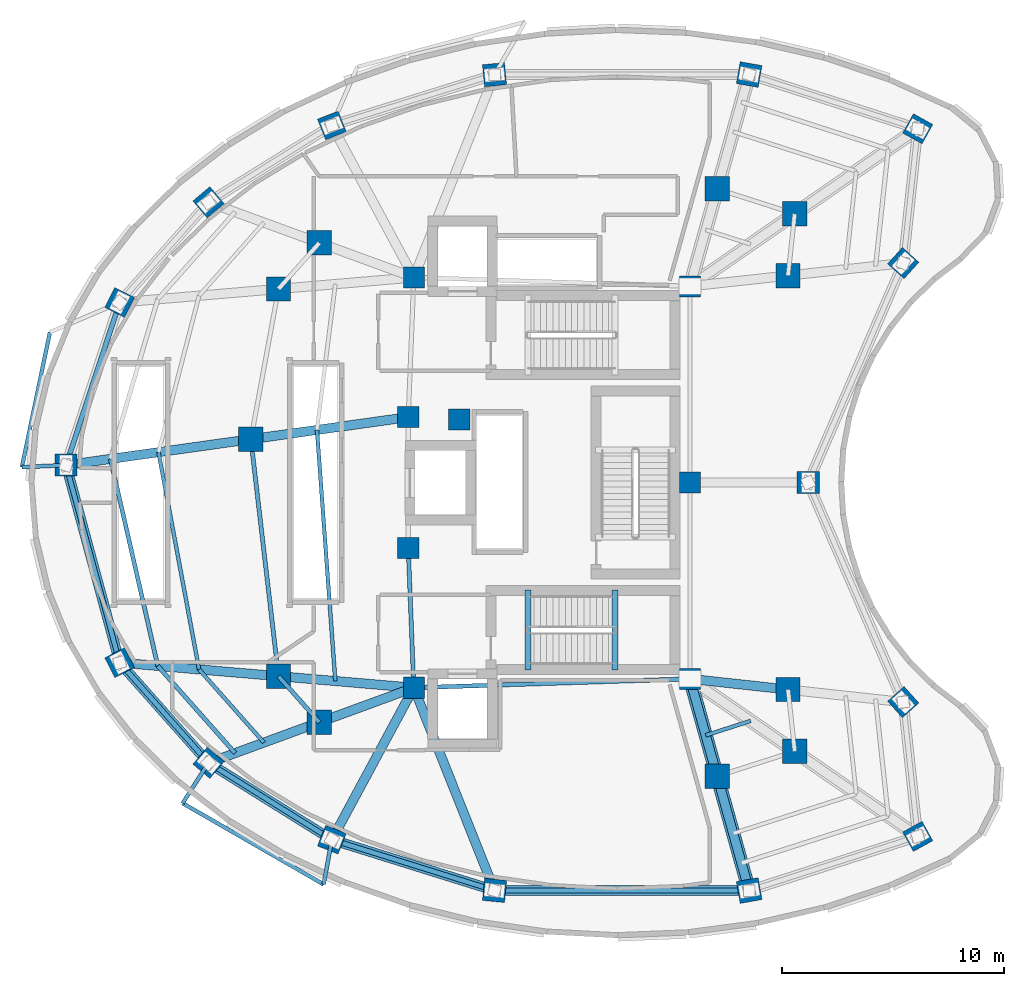
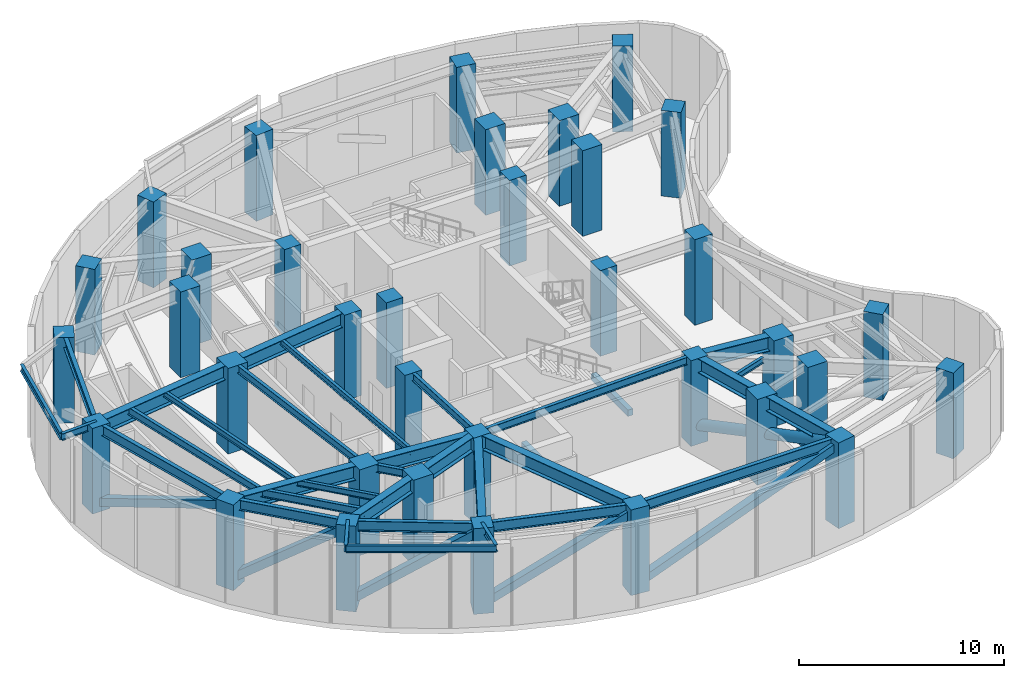
# One storey, part 1 of 10: 35 columns, 34 beams, 6 members.
"""IFC4 building model written with IfcOpenShell, lengths in metres."""

from ifc_helpers import new_model, si_unit, direction, frame, origin, origin_2d, place, context, subcontext, project, spatial, rectangle, hollow_rectangle, hollow_circle, i_section, extrude, material, material_profile, profile_set, type_object, element, save


model = new_model("IFC4")

# Units and contexts
model_context = context("Model", 3, precision=1e-05, world=origin(), true_north=direction((0.0, 1.0)))
body_context = subcontext(model_context, "Body", "Model", "MODEL_VIEW")
ifc_project = project(units=[si_unit("LENGTHUNIT", "METRE"), si_unit("AREAUNIT", "SQUARE_METRE"), si_unit("VOLUMEUNIT", "CUBIC_METRE"), si_unit("PLANEANGLEUNIT", "RADIAN"), si_unit("MASSUNIT", "GRAM", prefix="KILO")], contexts=[model_context])

# Site, building, storey
site_placement = place(None, origin())
site = spatial("IfcSite", under=ifc_project, at=site_placement, CompositionType="ELEMENT")
building_placement = place(site_placement, origin())
building = spatial("IfcBuilding", under=site, at=building_placement, Name="Korentha Bioscience Tower", CompositionType="ELEMENT")
storey_placement = place(building_placement, frame((0.0, 0.0, 148.800048828125)))
storey = spatial("IfcBuildingStorey", under=building, at=storey_placement, Name="L34", CompositionType="ELEMENT", Elevation=148.800048828125)

# Columns
ifc_material_1 = material(Name="Concrete C65", Category="concrete")
ifc_material_profile_1 = material_profile(ifc_material_1, rectangle(XDim=0.949951171875, YDim=0.949951171875, at=origin_2d()), Name="Concrete C65")
ifc_profile_set_1 = profile_set([ifc_material_profile_1], Name="Concrete C65 (COL-CP09)")
column_type_1 = type_object("IfcColumnType", Name="Core Pilaster Column RC 950x950", PredefinedType="PILASTER", material=ifc_profile_set_1)
for number, where, z_axis, x_axis, name in (
    (1, (37.550048828125, 35.85009765625, -0.00048828125), (0.0, 0.0, 1.0), (1.0, 0.0, 0.0), "L34 Core Pilaster CP-01"),
    (2, (25.10009765625, 36.25, -0.00048828125), (0.0, 0.0, 1.0), (1.0, 0.0, 0.0), "L34 Core Pilaster CP-02"),
    (3, (24.85009765625, 29.949951171875, -0.00048828125), (0.0, 0.0, 1.0), (1.0, 0.0, 0.0), "L34 Core Pilaster CP-03"),
    (4, (27.14990234375, 29.85009765625, -0.00048828125), (0.0, 0.0, 1.0), (1.0, 0.0, 0.0), "L34 Core Pilaster CP-04"),
    (5, (24.85009765625, 24.050048828125, -0.00048828125), (0.0, 0.0, 1.0), (1.0, 0.0, 0.0), "L34 Core Pilaster CP-05"),
    (6, (25.10009765625, 17.75, -0.00048828125), (0.0, 0.0, 1.0), (1.0, 0.0, 0.0), "L34 Core Pilaster CP-06"),
    (7, (37.550048828125, 18.14990234375, -0.00048828125), (0.0, 0.0, 1.0), (1.0, 0.0, 0.0), "L34 Core Pilaster CP-07"),
    (8, (37.550048828125, 27.0, -0.00048828125), (0.0, 0.0, 1.0), (1.0, 0.0, 0.0), "L34 Core Pilaster CP-08"),
):
    element("IfcColumn", number, at=place(storey_placement, frame(where, z_axis=z_axis, x_axis=x_axis)), inside=storey, type_object=column_type_1, Name=name, PredefinedType="PILASTER", context=body_context, shape_type="SweptSolid", body=[
        extrude(rectangle(XDim=0.949951171875, YDim=0.949951171875, at=origin_2d()), origin(), (0.0, 0.0, 1.0), 5.100830078125),
    ])
ifc_material_2 = material(Name="Concrete C80", Category="concrete")
ifc_material_profile_2 = material_profile(ifc_material_2, rectangle(XDim=1.10009765625, YDim=1.10009765625, at=origin_2d()), Name="Concrete C80")
ifc_profile_set_2 = profile_set([ifc_material_profile_2], Name="Concrete C80 (COL-MR11)")
column_type_2 = type_object("IfcColumnType", Name="Mid-Ring Lab Column RC 1100x1100", PredefinedType="COLUMN", material=ifc_profile_set_2)
for number, where, z_axis, x_axis, name in (
    (9, (42.274658203125, 39.1171875, -0.00048828125), (0.0, 0.0, 1.0), (1.0, 0.0, 0.0), "L34 Mid-Ring Column 01"),
    (10, (38.77880859375, 40.2412109375, -0.00048828125), (0.0, 0.0, 1.0), (1.0, 0.0, 0.0), "L34 Mid-Ring Column 02"),
    (11, (20.84228515625, 37.807861328125, -0.00048828125), (0.0, 0.0, 1.0), (1.0, 0.0, 0.0), "L34 Mid-Ring Column 05"),
    (12, (18.99951171875, 35.72998046875, -0.00048828125), (0.0, 0.0, 1.0), (1.0, 0.0, 0.0), "L34 Mid-Ring Column 06"),
    (13, (17.75341796875, 28.95458984375, -0.00048828125), (0.0, 0.0, 1.0), (1.0, 0.0, 0.0), "L34 Mid-Ring Column 07"),
    (14, (18.99951171875, 18.27001953125, -0.00048828125), (0.0, 0.0, 1.0), (1.0, 0.0, 0.0), "L34 Mid-Ring Column 08"),
    (15, (20.84228515625, 16.192138671875, -0.00048828125), (0.0, 0.0, 1.0), (1.0, 0.0, 0.0), "L34 Mid-Ring Column 09"),
    (16, (38.77880859375, 13.7587890625, -0.00048828125), (0.0, 0.0, 1.0), (1.0, 0.0, 0.0), "L34 Mid-Ring Column 12"),
    (17, (42.274658203125, 14.8828125, -0.00048828125), (0.0, 0.0, 1.0), (1.0, 0.0, 0.0), "L34 Mid-Ring Column 13"),
    (18, (41.97412109375, 17.66796875, -0.00048828125), (0.0, 0.0, 1.0), (1.0, 0.0, 0.0), "L34 Mid-Ring Column 14"),
    (19, (41.97412109375, 36.33203125, -0.00048828125), (0.0, 0.0, 1.0), (1.0, 0.0, 0.0), "L34 Mid-Ring Column 16"),
):
    element("IfcColumn", number, at=place(storey_placement, frame(where, z_axis=z_axis, x_axis=x_axis)), inside=storey, type_object=column_type_2, Name=name, PredefinedType="COLUMN", context=body_context, shape_type="SweptSolid", body=[
        extrude(rectangle(XDim=1.10009765625, YDim=1.10009765625, at=origin_2d()), origin(), (0.0, 0.0, 1.0), 5.100830078125),
    ])
ifc_material_profile_3 = material_profile(ifc_material_1, rectangle(XDim=1.0, YDim=1.0, at=origin_2d()), Name="Concrete C65")
ifc_profile_set_3 = profile_set([ifc_material_profile_3], Name="Concrete C65 (COL-P10)")
column_type_3 = type_object("IfcColumnType", Name="Perimeter Column RC 1000x1000", PredefinedType="COLUMN", material=ifc_profile_set_3)
for number, where, z_axis, x_axis, name in (
    (20, (47.821044921875, 42.95263671875, -0.00048828125), (0.0, 0.0, 1.0), (-0.874535078577, 0.484962262797, 0.0), "L34 Perimeter Column 01"),
    (21, (40.22119140625, 45.39599609375, -0.00048828125), (0.0, 0.0, 1.0), (-0.984868307662, 0.173304404339, 0.0), "L34 Perimeter Column 02"),
    (22, (28.739501953125, 45.390380859375, -0.00048828125), (0.0, 0.0, 1.0), (0.995462868748, 0.095150811579, 0.0), "L34 Perimeter Column 03"),
    (23, (21.405517578125, 43.102783203125, -0.00048828125), (0.0, 0.0, 1.0), (0.930225540858, 0.366988341962, 0.0), "L34 Perimeter Column 04"),
    (24, (15.843994140625, 39.63671875, -0.00048828125), (0.0, 0.0, 1.0), (0.764246456939, 0.644924300253, 0.0), "L34 Perimeter Column 05"),
    (25, (11.837890625, 35.119384765625, -0.00048828125), (0.0, 0.0, 1.0), (0.453057191132, 0.891481453292, 0.0), "L34 Perimeter Column 06"),
    (26, (9.422607421875, 27.785888671875, -0.00048828125), (0.0, 0.0, 1.0), (0.0, 1.0, 0.0), "L34 Perimeter Column 07"),
    (27, (11.837890625, 18.880615234375, -0.00048828125), (0.0, 0.0, 1.0), (-0.453057191132, 0.891481453292, 0.0), "L34 Perimeter Column 08"),
    (28, (15.843994140625, 14.36328125, -0.00048828125), (0.0, 0.0, 1.0), (-0.764246456939, 0.644924300253, 0.0), "L34 Perimeter Column 09"),
    (29, (21.405517578125, 10.897216796875, -0.00048828125), (0.0, 0.0, 1.0), (-0.930225540858, 0.366988341962, 0.0), "L34 Perimeter Column 10"),
    (30, (28.739501953125, 8.609619140625, -0.00048828125), (0.0, 0.0, 1.0), (-0.995462868748, 0.095150811579, 0.0), "L34 Perimeter Column 11"),
    (31, (40.22119140625, 8.60400390625, -0.00048828125), (0.0, 0.0, 1.0), (0.984868307662, 0.173304404339, 0.0), "L34 Perimeter Column 12"),
    (32, (47.821044921875, 11.04736328125, -0.00048828125), (0.0, 0.0, 1.0), (0.874535078577, 0.484962262797, 0.0), "L34 Perimeter Column 13"),
    (33, (47.16748046875, 17.10205078125, -0.00048828125), (0.0, 0.0, 1.0), (-0.669130606359, 0.743144825477, 0.0), "L34 Perimeter Column 14"),
    (34, (42.8818359375, 27.0, -0.00048828125), (0.0, 0.0, 1.0), (0.0, 1.0, 0.0), "L34 Perimeter Column 15"),
    (35, (47.16748046875, 36.89794921875, -0.00048828125), (0.0, 0.0, 1.0), (0.669130606359, 0.743144825477, 0.0), "L34 Perimeter Column 16"),
):
    element("IfcColumn", number, at=place(storey_placement, frame(where, z_axis=z_axis, x_axis=x_axis)), inside=storey, type_object=column_type_3, Name=name, PredefinedType="COLUMN", context=body_context, shape_type="SweptSolid", body=[
        extrude(rectangle(XDim=1.0, YDim=1.0, at=origin_2d()), origin(), (0.0, 0.0, 1.0), 5.100830078125),
    ])

# Members
ifc_material_3 = material(Name="Steel S355", Category="steel")
ifc_material_profile_4 = material_profile(ifc_material_3, hollow_rectangle(XDim=0.449951171875, YDim=0.449951171875, WallThickness=0.02490234375, at=origin_2d()), Name="Steel S355")
ifc_profile_set_4 = profile_set([ifc_material_profile_4], Name="Steel S355 (BT-D450)")
member_type_1 = type_object("IfcMemberType", Name="Belt-Truss Web Diagonal SHS 450x450x25", PredefinedType="BRACE", material=ifc_profile_set_4)
member_1_placement = place(storey_placement, frame((9.422607421875, 27.785888671875, 0.349853515625), z_axis=(0.236272108616, -0.871147420791, 0.430438917779), x_axis=(0.965132284003, 0.261762629829, 0.0)))
element("IfcMember", 36, at=member_1_placement, inside=storey, type_object=member_type_1, Name="L34 Perimeter Belt-Truss Diagonal 07", PredefinedType="BRACE", context=body_context, shape_type="SweptSolid", body=[
    extrude(hollow_rectangle(XDim=0.449951171875, YDim=0.449951171875, WallThickness=0.02490234375, at=origin_2d()), origin(), (0.0, 0.0, 1.0), 10.222412109375),
])
member_2_placement = place(storey_placement, frame((11.837890625, 18.880615234375, 0.349853515625), z_axis=(0.536217544317, -0.604645817692, 0.588960253594), x_axis=(0.748174025782, 0.663502544942, 0.0)))
element("IfcMember", 37, at=member_2_placement, inside=storey, type_object=member_type_1, Name="L34 Perimeter Belt-Truss Diagonal 08", PredefinedType="BRACE", context=body_context, shape_type="SweptSolid", body=[
    extrude(hollow_rectangle(XDim=0.449951171875, YDim=0.449951171875, WallThickness=0.02490234375, at=origin_2d()), origin(), (0.0, 0.0, 1.0), 7.470947265625),
])
member_3_placement = place(storey_placement, frame((15.843994140625, 14.36328125, 0.349853515625), z_axis=(0.704580802871, -0.439110344967, 0.55744775286), x_axis=(0.528913497876, 0.848675740059, 0.0)))
element("IfcMember", 38, at=member_3_placement, inside=storey, type_object=member_type_1, Name="L34 Perimeter Belt-Truss Diagonal 09", PredefinedType="BRACE", context=body_context, shape_type="SweptSolid", body=[
    extrude(hollow_rectangle(XDim=0.449951171875, YDim=0.449951171875, WallThickness=0.02490234375, at=origin_2d()), origin(), (0.0, 0.0, 1.0), 7.893310546875),
])
member_4_placement = place(storey_placement, frame((21.405517578125, 10.897216796875, 0.349853515625), z_axis=(0.828385691146, -0.258387946939, 0.497003838599), x_axis=(0.29776829818, 0.954638172607, 0.0)))
element("IfcMember", 39, at=member_4_placement, inside=storey, type_object=member_type_1, Name="L34 Perimeter Belt-Truss Diagonal 10", PredefinedType="BRACE", context=body_context, shape_type="SweptSolid", body=[
    extrude(hollow_rectangle(XDim=0.449951171875, YDim=0.449951171875, WallThickness=0.02490234375, at=origin_2d()), origin(), (0.0, 0.0, 1.0), 8.853271484375),
])
member_5_placement = place(storey_placement, frame((28.739501953125, 8.609619140625, 0.349853515625), z_axis=(0.933777758874, -0.000456673296, 0.357853166093), x_axis=(0.000489059883, 0.99999988041, 0.0)))
element("IfcMember", 40, at=member_5_placement, inside=storey, type_object=member_type_1, Name="L34 Perimeter Belt-Truss Diagonal 11", PredefinedType="BRACE", context=body_context, shape_type="SweptSolid", body=[
    extrude(hollow_rectangle(XDim=0.449951171875, YDim=0.449951171875, WallThickness=0.02490234375, at=origin_2d()), origin(), (0.0, 0.0, 1.0), 12.2958984375),
])

# Beams
ifc_material_4 = material(Name="Concrete C50", Category="concrete")
ifc_material_profile_5 = material_profile(ifc_material_4, rectangle(XDim=0.280029296875, YDim=0.3798828125, at=origin_2d()), Name="Concrete C50")
ifc_profile_set_5 = profile_set([ifc_material_profile_5], Name="Concrete C50 (ST-HB380)")
beam_type_1 = type_object("IfcBeamType", Name="Concrete Stair Header Beam RC 280x380", PredefinedType="BEAM", material=ifc_profile_set_5)
for number, where, z_axis, x_axis, name in (
    (41, (30.25, 18.550048828125, -0.18994140625), (0.0, 1.0, 0.0), (-1.0, 0.0, 0.0), "L34 ST-2 Concrete Stair Header Beam"),
    (42, (34.169921875, 18.550048828125, 2.510009765625), (0.0, 1.0, 0.0), (-1.0, 0.0, 0.0), "L34 ST-2 Half-Landing Header Beam 1"),
):
    element("IfcBeam", number, at=place(storey_placement, frame(where, z_axis=z_axis, x_axis=x_axis)), inside=storey, type_object=beam_type_1, Name=name, PredefinedType="BEAM", context=body_context, shape_type="SweptSolid", body=[
        extrude(rectangle(XDim=0.280029296875, YDim=0.3798828125, at=origin_2d()), origin(), (0.0, 0.0, 1.0), 3.599853515625),
    ])
ifc_material_profile_6 = material_profile(ifc_material_3, i_section(OverallWidth=0.18994140625, OverallDepth=0.45703125, WebThickness=0.009033203125, FlangeThickness=0.014404296875, at=origin_2d()), Name="Steel S355")
ifc_profile_set_6 = profile_set([ifc_material_profile_6], Name="Steel S355 (MB-460)")
beam_type_2 = type_object("IfcBeamType", Name="Mid-Ring Tie Girder W460x74", PredefinedType="BEAM", material=ifc_profile_set_6)
beam_1_placement = place(storey_placement, frame((17.75341796875, 28.95458984375, 4.871337890625), z_axis=(0.115840395246, -0.993267840428, 0.0), x_axis=(0.993267840428, 0.115840395246, 0.0)))
element("IfcBeam", 43, at=beam_1_placement, inside=storey, type_object=beam_type_2, Name="L34 Mid-Ring Tie Girder 07", PredefinedType="BEAM", context=body_context, shape_type="SweptSolid", body=[
    extrude(i_section(OverallWidth=0.18994140625, OverallDepth=0.45703125, WebThickness=0.009033203125, FlangeThickness=0.014404296875, at=origin_2d()), origin(), (0.0, 0.0, 1.0), 10.757080078125),
])
beam_2_placement = place(storey_placement, frame((18.99951171875, 18.27001953125, 4.871337890625), z_axis=(0.663512238321, -0.748165429299, 0.0), x_axis=(0.748165429299, 0.663512238321, 0.0)))
element("IfcBeam", 44, at=beam_2_placement, inside=storey, type_object=beam_type_2, Name="L34 Mid-Ring Tie Girder 08", PredefinedType="BEAM", context=body_context, shape_type="SweptSolid", body=[
    extrude(i_section(OverallWidth=0.18994140625, OverallDepth=0.45703125, WebThickness=0.009033203125, FlangeThickness=0.014404296875, at=origin_2d()), origin(), (0.0, 0.0, 1.0), 2.77734375),
])
beam_3_placement = place(storey_placement, frame((24.85009765625, 24.050048828125, 4.871337890625), z_axis=(0.039651025576, -0.999213588864, 0.0), x_axis=(0.999213588864, 0.039651025576, 0.0)))
element("IfcBeam", 45, at=beam_3_placement, inside=storey, type_object=beam_type_2, Name="L34 Core Ring Tie Girder 04", PredefinedType="BEAM", context=body_context, shape_type="SweptSolid", body=[
    extrude(i_section(OverallWidth=0.18994140625, OverallDepth=0.45703125, WebThickness=0.009033203125, FlangeThickness=0.014404296875, at=origin_2d()), origin(), (0.0, 0.0, 1.0), 6.304931640625),
])
beam_4_placement = place(storey_placement, frame((25.10009765625, 17.75, 4.871337890625), z_axis=(0.999484526071, 0.032104238723, 0.0), x_axis=(-0.032104238723, 0.999484526071, 0.0)))
element("IfcBeam", 46, at=beam_4_placement, inside=storey, type_object=beam_type_2, Name="L34 Core Ring Tie Girder 05", PredefinedType="BEAM", context=body_context, shape_type="SweptSolid", body=[
    extrude(i_section(OverallWidth=0.18994140625, OverallDepth=0.45703125, WebThickness=0.009033203125, FlangeThickness=0.014404296875, at=origin_2d()), origin(), (0.0, 0.0, 1.0), 12.456298828125),
])

# Member
ifc_material_profile_7 = material_profile(ifc_material_3, hollow_circle(Radius=0.304931640625, WallThickness=0.030029296875, at=origin_2d()), Name="Steel S355")
ifc_profile_set_7 = profile_set([ifc_material_profile_7], Name="Steel S355 (OU-610)")
member_type_2 = type_object("IfcMemberType", Name="Outrigger Diagonal Brace CHS 610x30", PredefinedType="USERDEFINED", material=ifc_profile_set_7)
member_6_placement = place(storey_placement, frame((37.550048828125, 18.14990234375, 0.89990234375), z_axis=(0.25203756518, -0.90071006293, 0.353833927535), x_axis=(0.963008770525, 0.269470050085, 0.0)))
element("IfcMember", 47, at=member_6_placement, inside=storey, type_object=member_type_2, Name="L34 Outrigger Truss Diagonal 03", ObjectType="OUTRIGGER", PredefinedType="USERDEFINED", context=body_context, shape_type="SweptSolid", body=[
    extrude(hollow_circle(Radius=0.304931640625, WallThickness=0.030029296875, at=origin_2d()), origin(), (0.0, 0.0, 1.0), 10.59814453125),
])

# Beams
ifc_material_profile_8 = material_profile(ifc_material_3, i_section(OverallWidth=0.22802734375, OverallDepth=0.60791015625, WebThickness=0.01123046875, FlangeThickness=0.017333984375, at=origin_2d()), Name="Steel S355")
ifc_profile_set_8 = profile_set([ifc_material_profile_8], Name="Steel S355 (SB-610)")
beam_type_3 = type_object("IfcBeamType", Name="Perimeter Ring Spandrel Girder W610x113", PredefinedType="SPANDREL", material=ifc_profile_set_8)
beam_5_placement = place(storey_placement, frame((11.837890625, 35.119384765625, 4.7958984375), z_axis=(-0.312820215824, -0.949812356506, 0.0), x_axis=(0.949812356506, -0.312820215824, 0.0)))
element("IfcBeam", 48, at=beam_5_placement, inside=storey, type_object=beam_type_3, Name="L34 Perimeter Spandrel Girder 06", PredefinedType="SPANDREL", context=body_context, shape_type="SweptSolid", body=[
    extrude(i_section(OverallWidth=0.22802734375, OverallDepth=0.60791015625, WebThickness=0.01123046875, FlangeThickness=0.017333984375, at=origin_2d()), origin(), (0.0, 0.0, 1.0), 7.720947265625),
])
beam_6_placement = place(storey_placement, frame((9.422607421875, 27.785888671875, 4.7958984375), z_axis=(0.261762629829, -0.965132284003, 0.0), x_axis=(0.965132284003, 0.261762629829, 0.0)))
element("IfcBeam", 49, at=beam_6_placement, inside=storey, type_object=beam_type_3, Name="L34 Perimeter Spandrel Girder 07", PredefinedType="SPANDREL", context=body_context, shape_type="SweptSolid", body=[
    extrude(i_section(OverallWidth=0.22802734375, OverallDepth=0.60791015625, WebThickness=0.01123046875, FlangeThickness=0.017333984375, at=origin_2d()), origin(), (0.0, 0.0, 1.0), 9.22705078125),
])
beam_7_placement = place(storey_placement, frame((11.837890625, 18.880615234375, 4.7958984375), z_axis=(0.663502544942, -0.748174025782, 0.0), x_axis=(0.748174025782, 0.663502544942, 0.0)))
element("IfcBeam", 50, at=beam_7_placement, inside=storey, type_object=beam_type_3, Name="L34 Perimeter Spandrel Girder 08", PredefinedType="SPANDREL", context=body_context, shape_type="SweptSolid", body=[
    extrude(i_section(OverallWidth=0.22802734375, OverallDepth=0.60791015625, WebThickness=0.01123046875, FlangeThickness=0.017333984375, at=origin_2d()), origin(), (0.0, 0.0, 1.0), 6.037841796875),
])
beam_8_placement = place(storey_placement, frame((15.843994140625, 14.36328125, 4.7958984375), z_axis=(0.848675740059, -0.528913497876, 0.0), x_axis=(0.528913497876, 0.848675740059, 0.0)))
element("IfcBeam", 51, at=beam_8_placement, inside=storey, type_object=beam_type_3, Name="L34 Perimeter Spandrel Girder 09", PredefinedType="SPANDREL", context=body_context, shape_type="SweptSolid", body=[
    extrude(i_section(OverallWidth=0.22802734375, OverallDepth=0.60791015625, WebThickness=0.01123046875, FlangeThickness=0.017333984375, at=origin_2d()), origin(), (0.0, 0.0, 1.0), 6.55322265625),
])
beam_9_placement = place(storey_placement, frame((21.405517578125, 10.897216796875, 4.7958984375), z_axis=(0.954638172607, -0.29776829818, 0.0), x_axis=(0.29776829818, 0.954638172607, 0.0)))
element("IfcBeam", 52, at=beam_9_placement, inside=storey, type_object=beam_type_3, Name="L34 Perimeter Spandrel Girder 10", PredefinedType="SPANDREL", context=body_context, shape_type="SweptSolid", body=[
    extrude(i_section(OverallWidth=0.22802734375, OverallDepth=0.60791015625, WebThickness=0.01123046875, FlangeThickness=0.017333984375, at=origin_2d()), origin(), (0.0, 0.0, 1.0), 7.682373046875),
])
beam_10_placement = place(storey_placement, frame((28.739501953125, 8.609619140625, 4.7958984375), z_axis=(0.99999988041, -0.000489059883, 0.0), x_axis=(0.000489059883, 0.99999988041, 0.0)))
element("IfcBeam", 53, at=beam_10_placement, inside=storey, type_object=beam_type_3, Name="L34 Perimeter Spandrel Girder 11", PredefinedType="SPANDREL", context=body_context, shape_type="SweptSolid", body=[
    extrude(i_section(OverallWidth=0.22802734375, OverallDepth=0.60791015625, WebThickness=0.01123046875, FlangeThickness=0.017333984375, at=origin_2d()), origin(), (0.0, 0.0, 1.0), 11.481689453125),
])
ifc_material_profile_9 = material_profile(ifc_material_3, i_section(OverallWidth=0.419921875, OverallDepth=0.85009765625, WebThickness=0.01806640625, FlangeThickness=0.031982421875, at=origin_2d()), Name="Steel S355")
ifc_profile_set_9 = profile_set([ifc_material_profile_9], Name="Steel S355 (MB-850)")
beam_type_4 = type_object("IfcBeamType", Name="Plant Heavy Girder CVS 850x315", PredefinedType="BEAM", material=ifc_profile_set_9)
beam_11_placement = place(storey_placement, frame((24.85009765625, 29.949951171875, 4.675048828125), z_axis=(-0.990306724295, -0.138897774699, 0.0), x_axis=(0.138897774699, -0.990306724295, 0.0)))
element("IfcBeam", 54, at=beam_11_placement, inside=storey, type_object=beam_type_4, Name="L34 Inner Radial Girder 07", PredefinedType="BEAM", context=body_context, shape_type="SweptSolid", body=[
    extrude(i_section(OverallWidth=0.419921875, OverallDepth=0.85009765625, WebThickness=0.01806640625, FlangeThickness=0.031982421875, at=origin_2d()), origin(), (0.0, 0.0, 1.0), 7.166259765625),
])
beam_12_placement = place(storey_placement, frame((17.75341796875, 28.95458984375, 4.675048828125), z_axis=(-0.990302735089, -0.138926213782, 0.0), x_axis=(0.138926213782, -0.990302735089, 0.0)))
element("IfcBeam", 55, at=beam_12_placement, inside=storey, type_object=beam_type_4, Name="L34 Outer Radial Girder 07", PredefinedType="BEAM", context=body_context, shape_type="SweptSolid", body=[
    extrude(i_section(OverallWidth=0.419921875, OverallDepth=0.85009765625, WebThickness=0.01806640625, FlangeThickness=0.031982421875, at=origin_2d()), origin(), (0.0, 0.0, 1.0), 8.412353515625),
])
beam_13_placement = place(storey_placement, frame((25.10009765625, 17.75, 4.675048828125), z_axis=(-0.996386672138, 0.084932912264, 0.0), x_axis=(-0.084932912264, -0.996386672138, 0.0)))
element("IfcBeam", 56, at=beam_13_placement, inside=storey, type_object=beam_type_4, Name="L34 Inner Radial Girder 08", PredefinedType="BEAM", context=body_context, shape_type="SweptSolid", body=[
    extrude(i_section(OverallWidth=0.419921875, OverallDepth=0.85009765625, WebThickness=0.01806640625, FlangeThickness=0.031982421875, at=origin_2d()), origin(), (0.0, 0.0, 1.0), 6.122802734375),
])
beam_14_placement = place(storey_placement, frame((18.99951171875, 18.27001953125, 4.675048828125), z_axis=(-0.996385111181, 0.084951222577, 0.0), x_axis=(-0.084951222577, -0.996385111181, 0.0)))
element("IfcBeam", 57, at=beam_14_placement, inside=storey, type_object=beam_type_4, Name="L34 Outer Radial Girder 08", PredefinedType="BEAM", context=body_context, shape_type="SweptSolid", body=[
    extrude(i_section(OverallWidth=0.419921875, OverallDepth=0.85009765625, WebThickness=0.01806640625, FlangeThickness=0.031982421875, at=origin_2d()), origin(), (0.0, 0.0, 1.0), 7.1875),
])
beam_15_placement = place(storey_placement, frame((25.10009765625, 17.75, 4.675048828125), z_axis=(-0.939113952431, -0.343605856105, 0.0), x_axis=(0.343605856105, -0.939113952431, 0.0)))
element("IfcBeam", 58, at=beam_15_placement, inside=storey, type_object=beam_type_4, Name="L34 Inner Radial Girder 09", PredefinedType="BEAM", context=body_context, shape_type="SweptSolid", body=[
    extrude(i_section(OverallWidth=0.419921875, OverallDepth=0.85009765625, WebThickness=0.01806640625, FlangeThickness=0.031982421875, at=origin_2d()), origin(), (0.0, 0.0, 1.0), 4.533935546875),
])
beam_16_placement = place(storey_placement, frame((20.84228515625, 16.192138671875, 4.675048828125), z_axis=(-0.939109855566, -0.343617053097, 0.0), x_axis=(0.343617053097, -0.939109855566, 0.0)))
element("IfcBeam", 59, at=beam_16_placement, inside=storey, type_object=beam_type_4, Name="L34 Outer Radial Girder 09", PredefinedType="BEAM", context=body_context, shape_type="SweptSolid", body=[
    extrude(i_section(OverallWidth=0.419921875, OverallDepth=0.85009765625, WebThickness=0.01806640625, FlangeThickness=0.031982421875, at=origin_2d()), origin(), (0.0, 0.0, 1.0), 5.322265625),
])
beam_17_placement = place(storey_placement, frame((25.10009765625, 17.75, 4.675048828125), z_axis=(-0.474559790141, -0.880223270302, 0.0), x_axis=(0.880223270302, -0.474559790141, 0.0)))
element("IfcBeam", 60, at=beam_17_placement, inside=storey, type_object=beam_type_4, Name="L34 Radial Girder 10", PredefinedType="BEAM", context=body_context, shape_type="SweptSolid", body=[
    extrude(i_section(OverallWidth=0.419921875, OverallDepth=0.85009765625, WebThickness=0.01806640625, FlangeThickness=0.031982421875, at=origin_2d()), origin(), (0.0, 0.0, 1.0), 7.785400390625),
])
beam_18_placement = place(storey_placement, frame((25.10009765625, 17.75, 4.675048828125), z_axis=(0.369922682955, -0.929062542909, 0.0), x_axis=(0.929062542909, 0.369922682955, 0.0)))
element("IfcBeam", 61, at=beam_18_placement, inside=storey, type_object=beam_type_4, Name="L34 Radial Girder 11", PredefinedType="BEAM", context=body_context, shape_type="SweptSolid", body=[
    extrude(i_section(OverallWidth=0.419921875, OverallDepth=0.85009765625, WebThickness=0.01806640625, FlangeThickness=0.031982421875, at=origin_2d()), origin(), (0.0, 0.0, 1.0), 9.83837890625),
])
beam_19_placement = place(storey_placement, frame((37.550048828125, 18.14990234375, 4.675048828125), z_axis=(0.269477001654, -0.963006825303, 0.0), x_axis=(0.963006825303, 0.269477001654, 0.0)))
element("IfcBeam", 62, at=beam_19_placement, inside=storey, type_object=beam_type_4, Name="L34 Inner Radial Girder 12", PredefinedType="BEAM", context=body_context, shape_type="SweptSolid", body=[
    extrude(i_section(OverallWidth=0.419921875, OverallDepth=0.85009765625, WebThickness=0.01806640625, FlangeThickness=0.031982421875, at=origin_2d()), origin(), (0.0, 0.0, 1.0), 4.559814453125),
])
beam_20_placement = place(storey_placement, frame((38.77880859375, 13.7587890625, 4.675048828125), z_axis=(0.269464128344, -0.963010427532, 0.0), x_axis=(0.963010427532, 0.269464128344, 0.0)))
element("IfcBeam", 63, at=beam_20_placement, inside=storey, type_object=beam_type_4, Name="L34 Outer Radial Girder 12", PredefinedType="BEAM", context=body_context, shape_type="SweptSolid", body=[
    extrude(i_section(OverallWidth=0.419921875, OverallDepth=0.85009765625, WebThickness=0.01806640625, FlangeThickness=0.031982421875, at=origin_2d()), origin(), (0.0, 0.0, 1.0), 5.352783203125),
])
beam_21_placement = place(storey_placement, frame((37.550048828125, 18.14990234375, 4.675048828125), z_axis=(0.994118939953, -0.108293735857, 0.0), x_axis=(0.108293735857, 0.994118939953, 0.0)))
element("IfcBeam", 64, at=beam_21_placement, inside=storey, type_object=beam_type_4, Name="L34 Inner Radial Girder 14", PredefinedType="BEAM", context=body_context, shape_type="SweptSolid", body=[
    extrude(i_section(OverallWidth=0.419921875, OverallDepth=0.85009765625, WebThickness=0.01806640625, FlangeThickness=0.031982421875, at=origin_2d()), origin(), (0.0, 0.0, 1.0), 4.4501953125),
])
ifc_material_profile_10 = material_profile(ifc_material_3, i_section(OverallWidth=0.18994140625, OverallDepth=0.45703125, WebThickness=0.009033203125, FlangeThickness=0.014404296875, at=origin_2d()), Name="Steel S355")
ifc_profile_set_10 = profile_set([ifc_material_profile_10], Name="Steel S355 (RB-460)")
beam_type_5 = type_object("IfcBeamType", Name="Radial Laboratory Beam W460x74", PredefinedType="BEAM", material=ifc_profile_set_10)
beam_22_placement = place(storey_placement, frame((11.421875, 28.06640625, 4.871337890625), z_axis=(0.222990987745, -0.974820506239, 0.0), x_axis=(0.974820506239, 0.222990987745, 0.0)))
element("IfcBeam", 65, at=beam_22_placement, inside=storey, type_object=beam_type_5, Name="L34 Secondary Floor Beam JSTO-07", PredefinedType="BEAM", context=body_context, shape_type="SweptSolid", body=[
    extrude(i_section(OverallWidth=0.18994140625, OverallDepth=0.45703125, WebThickness=0.009033203125, FlangeThickness=0.014404296875, at=origin_2d()), origin(), (0.0, 0.0, 1.0), 9.5732421875),
])
beam_23_placement = place(storey_placement, frame((13.556640625, 18.734130859375, 4.871337890625), z_axis=(0.663495511182, -0.748180263467, 0.0), x_axis=(0.748180263467, 0.663495511182, 0.0)))
element("IfcBeam", 66, at=beam_23_placement, inside=storey, type_object=beam_type_5, Name="L34 Secondary Floor Beam JSTO-08", PredefinedType="BEAM", context=body_context, shape_type="SweptSolid", body=[
    extrude(i_section(OverallWidth=0.18994140625, OverallDepth=0.45703125, WebThickness=0.009033203125, FlangeThickness=0.014404296875, at=origin_2d()), origin(), (0.0, 0.0, 1.0), 5.255615234375),
])
ifc_material_profile_11 = material_profile(ifc_material_3, i_section(OverallWidth=0.1708984375, OverallDepth=0.35498046875, WebThickness=0.007080078125, FlangeThickness=0.01171875, at=origin_2d()), Name="Steel S355")
ifc_profile_set_11 = profile_set([ifc_material_profile_11], Name="Steel S355 (JB-360)")
beam_type_6 = type_object("IfcBeamType", Name="Secondary Laboratory Joist W360x51", PredefinedType="JOIST", material=ifc_profile_set_11)
beam_24_placement = place(storey_placement, frame((13.587890625, 28.3701171875, 4.92236328125), z_axis=(0.183736713841, -0.982975493076, 0.0), x_axis=(0.982975493076, 0.183736713841, 0.0)))
element("IfcBeam", 67, at=beam_24_placement, inside=storey, type_object=beam_type_6, Name="L34 Secondary Floor Beam JST-07", PredefinedType="JOIST", context=body_context, shape_type="SweptSolid", body=[
    extrude(i_section(OverallWidth=0.1708984375, OverallDepth=0.35498046875, WebThickness=0.007080078125, FlangeThickness=0.01171875, at=origin_2d()), origin(), (0.0, 0.0, 1.0), 9.96435546875),
])
beam_25_placement = place(storey_placement, frame((20.73388671875, 29.37255859375, 4.92236328125), z_axis=(0.072934416258, -0.997336738983, 0.0), x_axis=(0.997336738983, 0.072934416258, 0.0)))
element("IfcBeam", 68, at=beam_25_placement, inside=storey, type_object=beam_type_6, Name="L34 Inner Bay Joist 07", PredefinedType="JOIST", context=body_context, shape_type="SweptSolid", body=[
    extrude(i_section(OverallWidth=0.1708984375, OverallDepth=0.35498046875, WebThickness=0.007080078125, FlangeThickness=0.01171875, at=origin_2d()), origin(), (0.0, 0.0, 1.0), 11.35107421875),
])
beam_26_placement = place(storey_placement, frame((15.418701171875, 18.575439453125, 4.92236328125), z_axis=(0.663462598754, -0.748209449322, 0.0), x_axis=(0.748209449322, 0.663462598754, 0.0)))
element("IfcBeam", 69, at=beam_26_placement, inside=storey, type_object=beam_type_6, Name="L34 Secondary Floor Beam JST-08", PredefinedType="JOIST", context=body_context, shape_type="SweptSolid", body=[
    extrude(i_section(OverallWidth=0.1708984375, OverallDepth=0.35498046875, WebThickness=0.007080078125, FlangeThickness=0.01171875, at=origin_2d()), origin(), (0.0, 0.0, 1.0), 4.40771484375),
])
beam_27_placement = place(storey_placement, frame((38.2626953125, 15.60302734375, 4.92236328125), z_axis=(0.952010669267, 0.306064838885, 0.0), x_axis=(-0.306064838885, 0.952010669267, 0.0)))
element("IfcBeam", 70, at=beam_27_placement, inside=storey, type_object=beam_type_6, Name="L34 Inner Bay Joist 12", PredefinedType="JOIST", context=body_context, shape_type="SweptSolid", body=[
    extrude(i_section(OverallWidth=0.1708984375, OverallDepth=0.35498046875, WebThickness=0.007080078125, FlangeThickness=0.01171875, at=origin_2d()), origin(), (0.0, 0.0, 1.0), 2.1298828125),
])
ifc_material_profile_12 = material_profile(ifc_material_3, i_section(OverallWidth=0.177978515625, OverallDepth=0.406982421875, WebThickness=0.0078125, FlangeThickness=0.0126953125, at=origin_2d()), Name="Steel S355")
ifc_profile_set_12 = profile_set([ifc_material_profile_12], Name="Steel S355 (CB-410)")
beam_type_7 = type_object("IfcBeamType", Name="Sun-Ledge Cantilever Beam W410x60", PredefinedType="BEAM", material=ifc_profile_set_12)
beam_28_placement = place(storey_placement, frame((9.422607421875, 27.785888671875, 4.8984375), z_axis=(-0.999054077137, -0.043485065888, 0.0), x_axis=(0.043485065888, -0.999054077137, 0.0)))
element("IfcBeam", 71, at=beam_28_placement, inside=storey, type_object=beam_type_7, Name="L34 Balcony Cantilever Bracket B-L35-02", PredefinedType="BEAM", context=body_context, shape_type="SweptSolid", body=[
    extrude(i_section(OverallWidth=0.177978515625, OverallDepth=0.406982421875, WebThickness=0.0078125, FlangeThickness=0.0126953125, at=origin_2d()), origin(), (0.0, 0.0, 1.0), 1.9931640625),
])
beam_29_placement = place(storey_placement, frame((8.6943359375, 33.78125, 4.8984375), z_axis=(-0.203313854561, -0.979113617791, 0.0), x_axis=(0.979113617791, -0.203313854561, 0.0)))
element("IfcBeam", 72, at=beam_29_placement, inside=storey, type_object=beam_type_7, Name="L34 Balcony Edge Trimmer Beam L35-02", PredefinedType="BEAM", context=body_context, shape_type="SweptSolid", body=[
    extrude(i_section(OverallWidth=0.177978515625, OverallDepth=0.406982421875, WebThickness=0.0078125, FlangeThickness=0.0126953125, at=origin_2d()), origin(), (0.0, 0.0, 1.0), 6.211669921875),
])
beam_30_placement = place(storey_placement, frame((15.843994140625, 14.36328125, 4.8984375), z_axis=(-0.539815865489, -0.841783126088, 0.0), x_axis=(0.841783126088, -0.539815865489, 0.0)))
element("IfcBeam", 73, at=beam_30_placement, inside=storey, type_object=beam_type_7, Name="L34 Balcony Cantilever Bracket A-L35-03", PredefinedType="BEAM", context=body_context, shape_type="SweptSolid", body=[
    extrude(i_section(OverallWidth=0.177978515625, OverallDepth=0.406982421875, WebThickness=0.0078125, FlangeThickness=0.0126953125, at=origin_2d()), origin(), (0.0, 0.0, 1.0), 2.162841796875),
])
beam_31_placement = place(storey_placement, frame((21.405517578125, 10.897216796875, 4.8984375), z_axis=(-0.181098705445, -0.983464925092, 0.0), x_axis=(0.983464925092, -0.181098705445, 0.0)))
element("IfcBeam", 74, at=beam_31_placement, inside=storey, type_object=beam_type_7, Name="L34 Balcony Cantilever Bracket B-L35-03", PredefinedType="BEAM", context=body_context, shape_type="SweptSolid", body=[
    extrude(i_section(OverallWidth=0.177978515625, OverallDepth=0.406982421875, WebThickness=0.0078125, FlangeThickness=0.0126953125, at=origin_2d()), origin(), (0.0, 0.0, 1.0), 2.0478515625),
])
beam_32_placement = place(storey_placement, frame((14.676513671875, 12.542724609375, 4.8984375), z_axis=(0.866700940133, -0.49882810704, 0.0), x_axis=(0.49882810704, 0.866700940133, 0.0)))
element("IfcBeam", 75, at=beam_32_placement, inside=storey, type_object=beam_type_7, Name="L34 Balcony Edge Trimmer Beam L35-03", PredefinedType="BEAM", context=body_context, shape_type="SweptSolid", body=[
    extrude(i_section(OverallWidth=0.177978515625, OverallDepth=0.406982421875, WebThickness=0.0078125, FlangeThickness=0.0126953125, at=origin_2d()), origin(), (0.0, 0.0, 1.0), 7.3359375),
])

save(model, "model.ifc")
